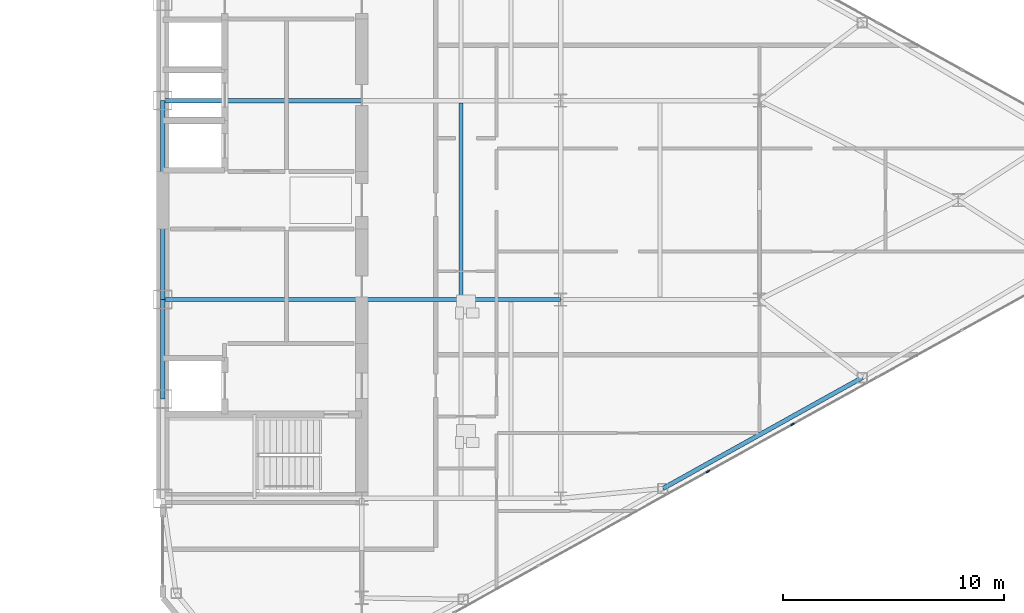
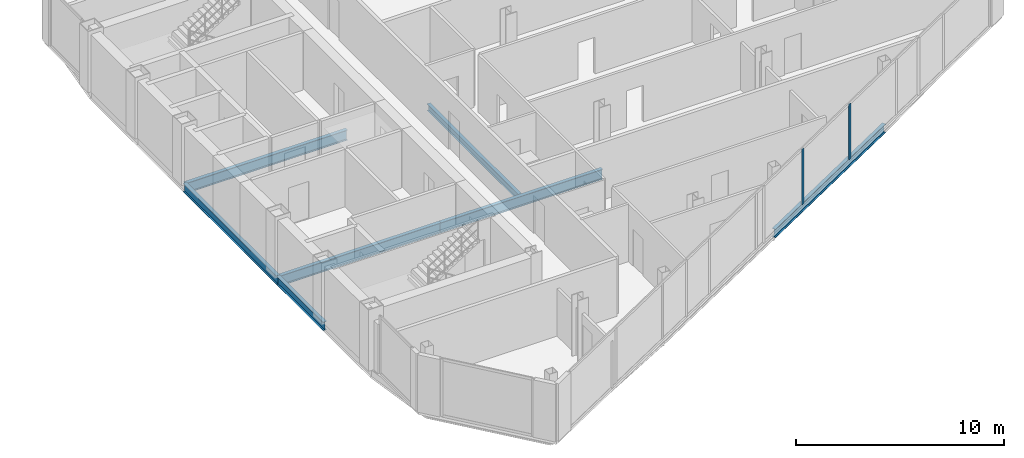
# One storey, part 13 of 26: 7 beams, 2 members, 1 element without a shape of its own.
"""IFC4 building model written with IfcOpenShell, lengths in metres."""

from ifc_helpers import new_model, si_unit, direction, frame, origin, origin_2d, place, context, subcontext, project, spatial, rectangle, i_section, extrude, source, transform, mapped, material, layer, layer_set, material_profile, profile_set, type_object, type_shapes, element, aggregate, save


model = new_model("IFC4")

# Units and contexts
model_context = context("Model", 3, precision=1e-05, world=origin(), true_north=direction((0.0, 1.0)))
body_context = subcontext(model_context, "Body", "Model", "MODEL_VIEW")
ifc_project = project(units=[si_unit("LENGTHUNIT", "METRE"), si_unit("AREAUNIT", "SQUARE_METRE"), si_unit("VOLUMEUNIT", "CUBIC_METRE"), si_unit("PLANEANGLEUNIT", "RADIAN"), si_unit("MASSUNIT", "GRAM", prefix="KILO")], contexts=[model_context])

# Site, building, storey
site_placement = place(None, origin())
site = spatial("IfcSite", under=ifc_project, at=site_placement, CompositionType="ELEMENT")
building_placement = place(site_placement, origin())
building = spatial("IfcBuilding", under=site, at=building_placement, Name="Seokmaru Belvedere", CompositionType="ELEMENT")
storey_placement = place(building_placement, frame((0.0, 0.0, 174.300048828125)))
storey = spatial("IfcBuildingStorey", under=building, at=storey_placement, Name="L46", CompositionType="ELEMENT", Elevation=174.300048828125)

# Beams
ifc_material_1 = material(Name="Steel SM355 (355 MPa)", Category="steel")
ifc_material_profile_1 = material_profile(ifc_material_1, i_section(OverallWidth=0.199951171875, OverallDepth=0.5, WebThickness=0.010009765625, FlangeThickness=0.01611328125, at=origin_2d()), Name="H-500x200x10x16")
ifc_profile_set_1 = profile_set([ifc_material_profile_1], Name="Steel SM355 (355 MPa)")
beam_type_1 = type_object("IfcBeamType", Name="Perimeter Spandrel Beam H-500", PredefinedType="SPANDREL", material=ifc_profile_set_1)
shared_shape_1 = source(origin(), body_context, "Body", "SweptSolid", [
    extrude(i_section(OverallWidth=0.199951171875, OverallDepth=0.5, WebThickness=0.010009765625, FlangeThickness=0.01611328125, at=origin_2d()), origin(), (0.0, 0.0, 1.0), 4.5),
])
beam_1_placement = place(storey_placement, frame((27.5, -9.0, -0.469970703125), z_axis=(0.0, 1.0, 0.0), x_axis=(-1.0, 0.0, 0.0)))
element("IfcBeam", 1, at=beam_1_placement, inside=storey, type_object=beam_type_1, Name="L46 E Portal Spine Spandrel 2", PredefinedType="SPANDREL", context=body_context, shape_type="MappedRepresentation", body=[
    mapped(shared_shape_1, transform((0.0, 0.0, 0.0), scale=1.0)),
])
shared_shape_2 = source(origin(), body_context, "Body", "SweptSolid", [
    extrude(i_section(OverallWidth=0.199951171875, OverallDepth=0.5, WebThickness=0.010009765625, FlangeThickness=0.01611328125, at=origin_2d()), origin(), (0.0, 0.0, 1.0), 9.0),
])
beam_2_placement = place(storey_placement, frame((27.5, -4.5, -0.469970703125), z_axis=(0.0, 1.0, 0.0), x_axis=(-1.0, 0.0, 0.0)))
element("IfcBeam", 2, at=beam_2_placement, inside=storey, type_object=beam_type_1, Name="L46 E Portal Spine Spandrel 3", PredefinedType="SPANDREL", context=body_context, shape_type="MappedRepresentation", body=[
    mapped(shared_shape_2, transform((0.0, 0.0, 0.0), scale=1.0)),
])
ifc_material_profile_2 = material_profile(ifc_material_1, i_section(OverallWidth=0.199951171875, OverallDepth=0.60009765625, WebThickness=0.010986328125, FlangeThickness=0.01708984375, at=origin_2d()), Name="H-600x200x11x17")
ifc_profile_set_2 = profile_set([ifc_material_profile_2], Name="Steel SM355 (355 MPa)")
beam_type_2 = type_object("IfcBeamType", Name="Primary Floor Girder H-600", PredefinedType="BEAM", material=ifc_profile_set_2)
shared_shape_3 = source(origin(), body_context, "Body", "SweptSolid", [
    extrude(i_section(OverallWidth=0.199951171875, OverallDepth=0.60009765625, WebThickness=0.010986328125, FlangeThickness=0.01708984375, at=origin_2d()), origin(), (0.0, 0.0, 1.0), 9.0),
])
type_shapes(beam_type_2, [shared_shape_3])
for number, where, z_axis, x_axis, name in (
    (3, (27.5, -4.5, -0.52001953125), (1.0, 0.0, 0.0), (0.0, 1.0, 0.0), "L46 E Core Tie Girder 2"),
    (4, (36.5, -4.5, -0.52001953125), (1.0, 0.0, 0.0), (0.0, 1.0, 0.0), "L46 E Wing Primary Girder 2"),
    (5, (27.5, 4.5, -0.52001953125), (1.0, 0.0, 0.0), (0.0, 1.0, 0.0), "L46 E Core Tie Girder 3"),
):
    element("IfcBeam", number, at=place(storey_placement, frame(where, z_axis=z_axis, x_axis=x_axis)), inside=storey, type_object=beam_type_2, Name=name, PredefinedType="BEAM", context=body_context, shape_type="MappedRepresentation", body=[
        mapped(shared_shape_3, transform((0.0, 0.0, 0.0), scale=1.0)),
    ])
ifc_material_profile_3 = material_profile(ifc_material_1, i_section(OverallWidth=0.18505859375, OverallDepth=0.389892578125, WebThickness=0.008056640625, FlangeThickness=0.011962890625, at=origin_2d()), Name="H-390x185x8x12")
ifc_profile_set_3 = profile_set([ifc_material_profile_3], Name="Steel SM355 (355 MPa)")
beam_type_3 = type_object("IfcBeamType", Name="Secondary Floor Joist H-350", PredefinedType="JOIST", material=ifc_profile_set_3)
shared_shape_4 = source(origin(), body_context, "Body", "SweptSolid", [
    extrude(i_section(OverallWidth=0.18505859375, OverallDepth=0.389892578125, WebThickness=0.008056640625, FlangeThickness=0.011962890625, at=origin_2d()), origin(), (0.0, 0.0, 1.0), 8.7900390625),
])
type_shapes(beam_type_3, [shared_shape_4])
beam_3_placement = place(storey_placement, frame((41.0, -4.39501953125, -0.4150390625), z_axis=(0.0, 1.0, 0.0), x_axis=(-1.0, 0.0, 0.0)))
element("IfcBeam", 6, at=beam_3_placement, inside=storey, type_object=beam_type_3, Name="L46 E Secondary Floor Joist 2", PredefinedType="JOIST", context=body_context, shape_type="MappedRepresentation", body=[
    mapped(shared_shape_4, transform((0.0, 0.0, 0.0), scale=1.0)),
])
shared_shape_5 = source(origin(), body_context, "Body", "SweptSolid", [
    extrude(i_section(OverallWidth=0.199951171875, OverallDepth=0.5, WebThickness=0.010009765625, FlangeThickness=0.01611328125, at=origin_2d()), origin(), (0.0, 0.0, 1.0), 10.327392578125),
])
type_shapes(beam_type_1, [shared_shape_1, shared_shape_2, shared_shape_5])
beam_4_placement = place(storey_placement, frame((50.129150390625, -13.051025390625, -0.469970703125), z_axis=(0.873934162361, 0.48604431882, 0.0), x_axis=(-0.48604431882, 0.873934162361, 0.0)))
element("IfcBeam", 7, at=beam_4_placement, inside=storey, type_object=beam_type_1, Name="L46 E Faceted Flank Spandrel S-3", PredefinedType="SPANDREL", context=body_context, shape_type="MappedRepresentation", body=[
    mapped(shared_shape_5, transform((0.0, 0.0, 0.0), scale=1.0)),
])

# Curtain wall, members
ifc_material_2 = material(Name="Bronze Triple Insulating Glass", Category="glass")
ifc_layer = layer(ifc_material_2, 0.179931640625)
ifc_layer_set = layer_set([ifc_layer], Name="Bronze Triple Insulating Glass")
curtain_wall_type = type_object("IfcCurtainWallType", Name="High-Rise Wind-Corner Curtain Wall System CW-5", PredefinedType="NOTDEFINED", material=ifc_layer_set)
curtain_wall_placement = place(storey_placement, origin())
curtain_wall = element("IfcCurtainWall", 8, at=curtain_wall_placement, inside=storey, type_object=curtain_wall_type, Name="L46 Curtain Wall EF1", PredefinedType="NOTDEFINED")
ifc_material_3 = material(Name="Anodised Bronze Aluminium", Category="aluminium")
ifc_material_profile_4 = material_profile(ifc_material_3, rectangle(XDim=0.06494140625, YDim=0.179931640625, at=origin_2d()), Name="CW-M-65x180")
ifc_profile_set_4 = profile_set([ifc_material_profile_4], Name="Anodised Bronze Aluminium")
member_type = type_object("IfcMemberType", Name="Bronze Unitised Mullion 65x180", PredefinedType="MULLION", material=ifc_profile_set_4)
shared_shape_6 = source(origin(), body_context, "Body", "SweptSolid", [
    extrude(rectangle(XDim=0.06494140625, YDim=0.179931640625, at=origin_2d()), origin(), (0.0, 0.0, 1.0), 3.25),
])
type_shapes(member_type, [shared_shape_6])
member_1_placement = place(storey_placement, frame((52.166015625, -12.2841796875, 0.06494140625), z_axis=(0.0, 0.0, 1.0), x_axis=(-0.486047125147, 0.873932601598, 0.0)))
member_1 = element("IfcMember", 9, at=member_1_placement, type_object=member_type, Name="CW:L46:EF1 Mullion 6", PredefinedType="MULLION", context=body_context, shape_type="MappedRepresentation", body=[
    mapped(shared_shape_6, transform((0.0, 0.0, 0.0), scale=1.0)),
])
member_2_placement = place(storey_placement, frame((55.998291015625, -10.153076171875, 0.06494140625), z_axis=(0.0, 0.0, 1.0), x_axis=(-0.486047125147, 0.873932601598, 0.0)))
member_2 = element("IfcMember", 10, at=member_2_placement, type_object=member_type, Name="CW:L46:EF1 Mullion 7", PredefinedType="MULLION", context=body_context, shape_type="MappedRepresentation", body=[
    mapped(shared_shape_6, transform((0.0, 0.0, 0.0), scale=1.0)),
])
aggregate(curtain_wall, [member_1, member_2])

save(model, "model.ifc")
